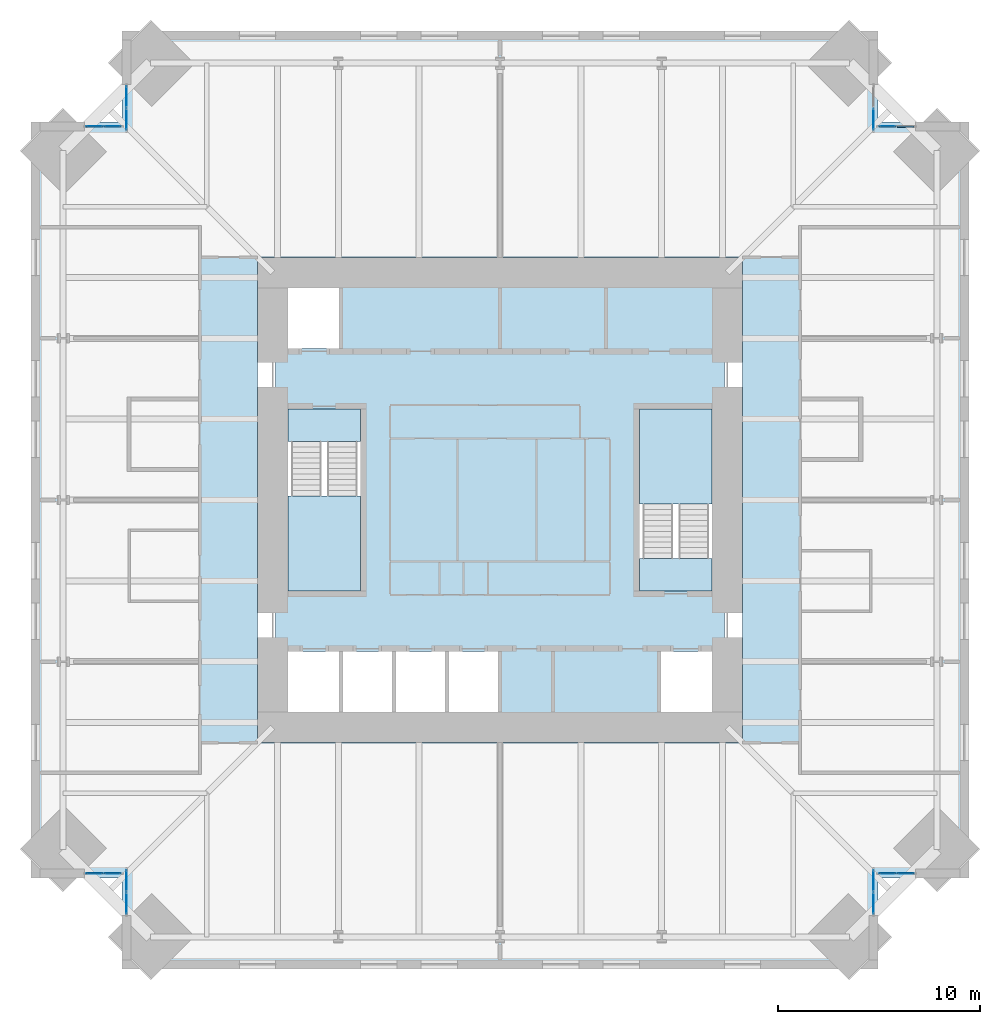
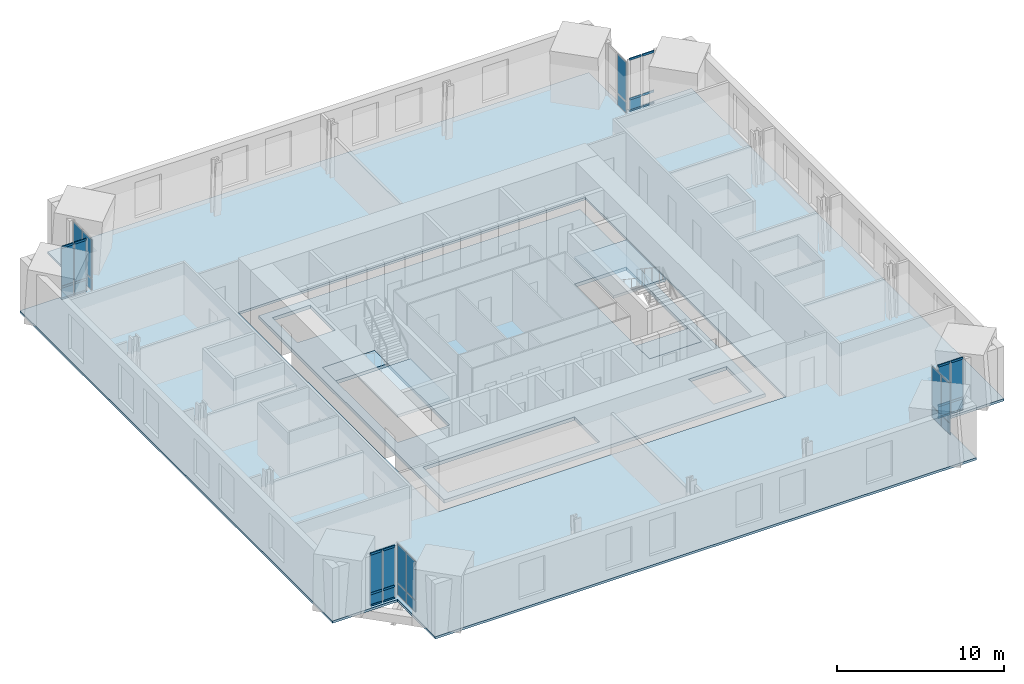
# One storey, part 9 of 15: 27 plates, 24 members, 6 slabs, 10 elements without a shape of their own.
"""IFC4 building model written with IfcOpenShell, lengths in metres."""

from ifc_helpers import new_model, si_unit, direction, frame, origin, origin_2d, place, context, subcontext, project, spatial, polyline, rectangle, hollow_rectangle, outline, extrude, material, layer, layer_set, material_profile, profile_set, type_object, element, aggregate, save


model = new_model("IFC4")

# Units and contexts
model_context = context("Model", 3, precision=1e-05, world=origin(), true_north=direction((0.0, 1.0)))
body_context = subcontext(model_context, "Body", "Model", "MODEL_VIEW")
ifc_project = project(units=[si_unit("LENGTHUNIT", "METRE"), si_unit("AREAUNIT", "SQUARE_METRE"), si_unit("VOLUMEUNIT", "CUBIC_METRE"), si_unit("PLANEANGLEUNIT", "RADIAN"), si_unit("MASSUNIT", "GRAM", prefix="KILO")], contexts=[model_context])

# Site, building, storey
site_placement = place(None, origin())
site = spatial("IfcSite", under=ifc_project, at=site_placement, CompositionType="ELEMENT")
building_placement = place(site_placement, origin())
building = spatial("IfcBuilding", under=site, at=building_placement, Name="Peilmerk Tower", CompositionType="ELEMENT")
storey_placement = place(building_placement, frame((0.0, 0.0, 229.800048828125)))
storey = spatial("IfcBuildingStorey", under=building, at=storey_placement, Name="L50", CompositionType="ELEMENT", Elevation=229.800048828125)

# Curtain wall, members
ifc_material_1 = material(Name="Aluminium stick curtain wall", Category="aluminium")
curtain_wall_type = type_object("IfcCurtainWallType", Name="CW4 stick curtain wall, 2250 module", PredefinedType="NOTDEFINED", material=ifc_material_1)
curtain_wall_1_placement = place(storey_placement, origin())
curtain_wall_1 = element("IfcCurtainWall", 1, at=curtain_wall_1_placement, inside=storey, type_object=curtain_wall_type, Name="Curtain wall CW4 NEB L50", PredefinedType="NOTDEFINED")
ifc_material_2 = material(Name="Aluminium EN AW-6063 T6", Category="aluminium")
ifc_material_profile = material_profile(ifc_material_2, hollow_rectangle(XDim=0.06494140625, YDim=0.14990234375, WallThickness=0.0029296875, at=origin_2d()), Name="AL 150x65x3")
ifc_profile_set = profile_set([ifc_material_profile], Name="Aluminium EN AW-6063 T6")
member_type = type_object("IfcMemberType", Name="CW4-T AL 150x65x3 transom", PredefinedType="USERDEFINED", material=ifc_profile_set)
member_1_placement = place(storey_placement, frame((18.764892578125, 18.47509765625, 0.032470703125), z_axis=(1.0, 0.0, 0.0), x_axis=(0.0, 1.0, 0.0)))
member_1 = element("IfcMember", 2, at=member_1_placement, type_object=member_type, Name="CW4 transom 1.1", ObjectType="TRANSOM", PredefinedType="USERDEFINED", context=body_context, shape_type="SweptSolid", body=[
    extrude(hollow_rectangle(XDim=0.06494140625, YDim=0.14990234375, WallThickness=0.0029296875, at=origin_2d()), origin(), (0.0, 0.0, 1.0), 0.822021484375),
])
member_2_placement = place(storey_placement, frame((18.764892578125, 18.47509765625, 0.89990234375), z_axis=(1.0, 0.0, 0.0), x_axis=(0.0, 1.0, 0.0)))
member_2 = element("IfcMember", 3, at=member_2_placement, type_object=member_type, Name="CW4 transom 1.2", ObjectType="TRANSOM", PredefinedType="USERDEFINED", context=body_context, shape_type="SweptSolid", body=[
    extrude(hollow_rectangle(XDim=0.06494140625, YDim=0.14990234375, WallThickness=0.0029296875, at=origin_2d()), origin(), (0.0, 0.0, 1.0), 0.822021484375),
])
member_3_placement = place(storey_placement, frame((18.764892578125, 18.47509765625, 3.79736328125), z_axis=(1.0, 0.0, 0.0), x_axis=(0.0, 1.0, 0.0)))
member_3 = element("IfcMember", 4, at=member_3_placement, type_object=member_type, Name="CW4 transom 1.3", ObjectType="TRANSOM", PredefinedType="USERDEFINED", context=body_context, shape_type="SweptSolid", body=[
    extrude(hollow_rectangle(XDim=0.06494140625, YDim=0.14990234375, WallThickness=0.0029296875, at=origin_2d()), origin(), (0.0, 0.0, 1.0), 0.822021484375),
])
member_4_placement = place(storey_placement, frame((19.65185546875, 18.47509765625, 0.032470703125), z_axis=(1.0, 0.0, 0.0), x_axis=(0.0, 1.0, 0.0)))
member_4 = element("IfcMember", 5, at=member_4_placement, type_object=member_type, Name="CW4 transom 2.1", ObjectType="TRANSOM", PredefinedType="USERDEFINED", context=body_context, shape_type="SweptSolid", body=[
    extrude(hollow_rectangle(XDim=0.06494140625, YDim=0.14990234375, WallThickness=0.0029296875, at=origin_2d()), origin(), (0.0, 0.0, 1.0), 0.82177734375),
])
member_5_placement = place(storey_placement, frame((19.65185546875, 18.47509765625, 0.89990234375), z_axis=(1.0, 0.0, 0.0), x_axis=(0.0, 1.0, 0.0)))
member_5 = element("IfcMember", 6, at=member_5_placement, type_object=member_type, Name="CW4 transom 2.2", ObjectType="TRANSOM", PredefinedType="USERDEFINED", context=body_context, shape_type="SweptSolid", body=[
    extrude(hollow_rectangle(XDim=0.06494140625, YDim=0.14990234375, WallThickness=0.0029296875, at=origin_2d()), origin(), (0.0, 0.0, 1.0), 0.82177734375),
])
member_6_placement = place(storey_placement, frame((19.65185546875, 18.47509765625, 3.79736328125), z_axis=(1.0, 0.0, 0.0), x_axis=(0.0, 1.0, 0.0)))
member_6 = element("IfcMember", 7, at=member_6_placement, type_object=member_type, Name="CW4 transom 2.3", ObjectType="TRANSOM", PredefinedType="USERDEFINED", context=body_context, shape_type="SweptSolid", body=[
    extrude(hollow_rectangle(XDim=0.06494140625, YDim=0.14990234375, WallThickness=0.0029296875, at=origin_2d()), origin(), (0.0, 0.0, 1.0), 0.82177734375),
])

curtain_wall_2_placement = place(storey_placement, origin())
curtain_wall_2 = element("IfcCurtainWall", 8, at=curtain_wall_2_placement, inside=storey, type_object=curtain_wall_type, Name="Curtain wall CW4 SEB L50", PredefinedType="NOTDEFINED")
member_7_placement = place(storey_placement, frame((18.764892578125, -18.47509765625, 0.032470703125), z_axis=(1.0, 0.0, 0.0), x_axis=(0.0, 1.0, 0.0)))
member_7 = element("IfcMember", 9, at=member_7_placement, type_object=member_type, Name="CW4 transom 1.1", ObjectType="TRANSOM", PredefinedType="USERDEFINED", context=body_context, shape_type="SweptSolid", body=[
    extrude(hollow_rectangle(XDim=0.06494140625, YDim=0.14990234375, WallThickness=0.0029296875, at=origin_2d()), origin(), (0.0, 0.0, 1.0), 0.822021484375),
])
member_8_placement = place(storey_placement, frame((18.764892578125, -18.47509765625, 0.89990234375), z_axis=(1.0, 0.0, 0.0), x_axis=(0.0, 1.0, 0.0)))
member_8 = element("IfcMember", 10, at=member_8_placement, type_object=member_type, Name="CW4 transom 1.2", ObjectType="TRANSOM", PredefinedType="USERDEFINED", context=body_context, shape_type="SweptSolid", body=[
    extrude(hollow_rectangle(XDim=0.06494140625, YDim=0.14990234375, WallThickness=0.0029296875, at=origin_2d()), origin(), (0.0, 0.0, 1.0), 0.822021484375),
])
member_9_placement = place(storey_placement, frame((18.764892578125, -18.47509765625, 3.79736328125), z_axis=(1.0, 0.0, 0.0), x_axis=(0.0, 1.0, 0.0)))
member_9 = element("IfcMember", 11, at=member_9_placement, type_object=member_type, Name="CW4 transom 1.3", ObjectType="TRANSOM", PredefinedType="USERDEFINED", context=body_context, shape_type="SweptSolid", body=[
    extrude(hollow_rectangle(XDim=0.06494140625, YDim=0.14990234375, WallThickness=0.0029296875, at=origin_2d()), origin(), (0.0, 0.0, 1.0), 0.822021484375),
])
member_10_placement = place(storey_placement, frame((19.65185546875, -18.47509765625, 0.032470703125), z_axis=(1.0, 0.0, 0.0), x_axis=(0.0, 1.0, 0.0)))
member_10 = element("IfcMember", 12, at=member_10_placement, type_object=member_type, Name="CW4 transom 2.1", ObjectType="TRANSOM", PredefinedType="USERDEFINED", context=body_context, shape_type="SweptSolid", body=[
    extrude(hollow_rectangle(XDim=0.06494140625, YDim=0.14990234375, WallThickness=0.0029296875, at=origin_2d()), origin(), (0.0, 0.0, 1.0), 0.82177734375),
])
member_11_placement = place(storey_placement, frame((19.65185546875, -18.47509765625, 0.89990234375), z_axis=(1.0, 0.0, 0.0), x_axis=(0.0, 1.0, 0.0)))
member_11 = element("IfcMember", 13, at=member_11_placement, type_object=member_type, Name="CW4 transom 2.2", ObjectType="TRANSOM", PredefinedType="USERDEFINED", context=body_context, shape_type="SweptSolid", body=[
    extrude(hollow_rectangle(XDim=0.06494140625, YDim=0.14990234375, WallThickness=0.0029296875, at=origin_2d()), origin(), (0.0, 0.0, 1.0), 0.82177734375),
])
member_12_placement = place(storey_placement, frame((19.65185546875, -18.47509765625, 3.79736328125), z_axis=(1.0, 0.0, 0.0), x_axis=(0.0, 1.0, 0.0)))
member_12 = element("IfcMember", 14, at=member_12_placement, type_object=member_type, Name="CW4 transom 2.3", ObjectType="TRANSOM", PredefinedType="USERDEFINED", context=body_context, shape_type="SweptSolid", body=[
    extrude(hollow_rectangle(XDim=0.06494140625, YDim=0.14990234375, WallThickness=0.0029296875, at=origin_2d()), origin(), (0.0, 0.0, 1.0), 0.82177734375),
])

curtain_wall_3_placement = place(storey_placement, origin())
curtain_wall_3 = element("IfcCurtainWall", 15, at=curtain_wall_3_placement, inside=storey, type_object=curtain_wall_type, Name="Curtain wall CW4 SWB L50", PredefinedType="NOTDEFINED")
member_13_placement = place(storey_placement, frame((-18.764892578125, -18.47509765625, 0.032470703125), z_axis=(-1.0, 0.0, 0.0), x_axis=(0.0, -1.0, 0.0)))
member_13 = element("IfcMember", 16, at=member_13_placement, type_object=member_type, Name="CW4 transom 1.1", ObjectType="TRANSOM", PredefinedType="USERDEFINED", context=body_context, shape_type="SweptSolid", body=[
    extrude(hollow_rectangle(XDim=0.06494140625, YDim=0.14990234375, WallThickness=0.0029296875, at=origin_2d()), origin(), (0.0, 0.0, 1.0), 0.822021484375),
])
member_14_placement = place(storey_placement, frame((-18.764892578125, -18.47509765625, 0.89990234375), z_axis=(-1.0, 0.0, 0.0), x_axis=(0.0, -1.0, 0.0)))
member_14 = element("IfcMember", 17, at=member_14_placement, type_object=member_type, Name="CW4 transom 1.2", ObjectType="TRANSOM", PredefinedType="USERDEFINED", context=body_context, shape_type="SweptSolid", body=[
    extrude(hollow_rectangle(XDim=0.06494140625, YDim=0.14990234375, WallThickness=0.0029296875, at=origin_2d()), origin(), (0.0, 0.0, 1.0), 0.822021484375),
])
member_15_placement = place(storey_placement, frame((-18.764892578125, -18.47509765625, 3.79736328125), z_axis=(-1.0, 0.0, 0.0), x_axis=(0.0, -1.0, 0.0)))
member_15 = element("IfcMember", 18, at=member_15_placement, type_object=member_type, Name="CW4 transom 1.3", ObjectType="TRANSOM", PredefinedType="USERDEFINED", context=body_context, shape_type="SweptSolid", body=[
    extrude(hollow_rectangle(XDim=0.06494140625, YDim=0.14990234375, WallThickness=0.0029296875, at=origin_2d()), origin(), (0.0, 0.0, 1.0), 0.822021484375),
])
member_16_placement = place(storey_placement, frame((-19.65185546875, -18.47509765625, 0.032470703125), z_axis=(-1.0, 0.0, 0.0), x_axis=(0.0, -1.0, 0.0)))
member_16 = element("IfcMember", 19, at=member_16_placement, type_object=member_type, Name="CW4 transom 2.1", ObjectType="TRANSOM", PredefinedType="USERDEFINED", context=body_context, shape_type="SweptSolid", body=[
    extrude(hollow_rectangle(XDim=0.06494140625, YDim=0.14990234375, WallThickness=0.0029296875, at=origin_2d()), origin(), (0.0, 0.0, 1.0), 0.82177734375),
])
member_17_placement = place(storey_placement, frame((-19.65185546875, -18.47509765625, 0.89990234375), z_axis=(-1.0, 0.0, 0.0), x_axis=(0.0, -1.0, 0.0)))
member_17 = element("IfcMember", 20, at=member_17_placement, type_object=member_type, Name="CW4 transom 2.2", ObjectType="TRANSOM", PredefinedType="USERDEFINED", context=body_context, shape_type="SweptSolid", body=[
    extrude(hollow_rectangle(XDim=0.06494140625, YDim=0.14990234375, WallThickness=0.0029296875, at=origin_2d()), origin(), (0.0, 0.0, 1.0), 0.82177734375),
])
member_18_placement = place(storey_placement, frame((-19.65185546875, -18.47509765625, 3.79736328125), z_axis=(-1.0, 0.0, 0.0), x_axis=(0.0, -1.0, 0.0)))
member_18 = element("IfcMember", 21, at=member_18_placement, type_object=member_type, Name="CW4 transom 2.3", ObjectType="TRANSOM", PredefinedType="USERDEFINED", context=body_context, shape_type="SweptSolid", body=[
    extrude(hollow_rectangle(XDim=0.06494140625, YDim=0.14990234375, WallThickness=0.0029296875, at=origin_2d()), origin(), (0.0, 0.0, 1.0), 0.82177734375),
])

curtain_wall_4_placement = place(storey_placement, origin())
curtain_wall_4 = element("IfcCurtainWall", 22, at=curtain_wall_4_placement, inside=storey, type_object=curtain_wall_type, Name="Curtain wall CW4 NWB L50", PredefinedType="NOTDEFINED")
member_19_placement = place(storey_placement, frame((-18.764892578125, 18.47509765625, 0.032470703125), z_axis=(-1.0, 0.0, 0.0), x_axis=(0.0, -1.0, 0.0)))
member_19 = element("IfcMember", 23, at=member_19_placement, type_object=member_type, Name="CW4 transom 1.1", ObjectType="TRANSOM", PredefinedType="USERDEFINED", context=body_context, shape_type="SweptSolid", body=[
    extrude(hollow_rectangle(XDim=0.06494140625, YDim=0.14990234375, WallThickness=0.0029296875, at=origin_2d()), origin(), (0.0, 0.0, 1.0), 0.822021484375),
])
member_20_placement = place(storey_placement, frame((-18.764892578125, 18.47509765625, 0.89990234375), z_axis=(-1.0, 0.0, 0.0), x_axis=(0.0, -1.0, 0.0)))
member_20 = element("IfcMember", 24, at=member_20_placement, type_object=member_type, Name="CW4 transom 1.2", ObjectType="TRANSOM", PredefinedType="USERDEFINED", context=body_context, shape_type="SweptSolid", body=[
    extrude(hollow_rectangle(XDim=0.06494140625, YDim=0.14990234375, WallThickness=0.0029296875, at=origin_2d()), origin(), (0.0, 0.0, 1.0), 0.822021484375),
])
member_21_placement = place(storey_placement, frame((-18.764892578125, 18.47509765625, 3.79736328125), z_axis=(-1.0, 0.0, 0.0), x_axis=(0.0, -1.0, 0.0)))
member_21 = element("IfcMember", 25, at=member_21_placement, type_object=member_type, Name="CW4 transom 1.3", ObjectType="TRANSOM", PredefinedType="USERDEFINED", context=body_context, shape_type="SweptSolid", body=[
    extrude(hollow_rectangle(XDim=0.06494140625, YDim=0.14990234375, WallThickness=0.0029296875, at=origin_2d()), origin(), (0.0, 0.0, 1.0), 0.822021484375),
])
member_22_placement = place(storey_placement, frame((-19.65185546875, 18.47509765625, 0.032470703125), z_axis=(-1.0, 0.0, 0.0), x_axis=(0.0, -1.0, 0.0)))
member_22 = element("IfcMember", 26, at=member_22_placement, type_object=member_type, Name="CW4 transom 2.1", ObjectType="TRANSOM", PredefinedType="USERDEFINED", context=body_context, shape_type="SweptSolid", body=[
    extrude(hollow_rectangle(XDim=0.06494140625, YDim=0.14990234375, WallThickness=0.0029296875, at=origin_2d()), origin(), (0.0, 0.0, 1.0), 0.82177734375),
])
member_23_placement = place(storey_placement, frame((-19.65185546875, 18.47509765625, 0.89990234375), z_axis=(-1.0, 0.0, 0.0), x_axis=(0.0, -1.0, 0.0)))
member_23 = element("IfcMember", 27, at=member_23_placement, type_object=member_type, Name="CW4 transom 2.2", ObjectType="TRANSOM", PredefinedType="USERDEFINED", context=body_context, shape_type="SweptSolid", body=[
    extrude(hollow_rectangle(XDim=0.06494140625, YDim=0.14990234375, WallThickness=0.0029296875, at=origin_2d()), origin(), (0.0, 0.0, 1.0), 0.82177734375),
])
member_24_placement = place(storey_placement, frame((-19.65185546875, 18.47509765625, 3.79736328125), z_axis=(-1.0, 0.0, 0.0), x_axis=(0.0, -1.0, 0.0)))
member_24 = element("IfcMember", 28, at=member_24_placement, type_object=member_type, Name="CW4 transom 2.3", ObjectType="TRANSOM", PredefinedType="USERDEFINED", context=body_context, shape_type="SweptSolid", body=[
    extrude(hollow_rectangle(XDim=0.06494140625, YDim=0.14990234375, WallThickness=0.0029296875, at=origin_2d()), origin(), (0.0, 0.0, 1.0), 0.82177734375),
])

# Slab
ifc_material_3 = material(Name="Concrete C55/67", Category="concrete")
ifc_layer_1 = layer(ifc_material_3, 0.25)
ifc_layer_set_1 = layer_set([ifc_layer_1], Name="Concrete C55/67")
slab_type_1 = type_object("IfcSlabType", Name="CS250 250 core floor slab", PredefinedType="FLOOR", material=ifc_layer_set_1)
slab_1_placement = place(storey_placement, frame((0.0, 0.0, -0.25)))
element("IfcSlab", 29, at=slab_1_placement, inside=storey, type_object=slab_type_1, Name="Core slab L50", PredefinedType="FLOOR", context=body_context, shape_type="SweptSolid", body=[
    extrude(outline(polyline([(11.10009765625, -11.10009765625), (11.10009765625, 11.10009765625), (-11.10009765625, 11.10009765625), (-11.10009765625, -11.10009765625), (11.10009765625, -11.10009765625)]), holes=[polyline([(-7.875, 7.5), (-10.5, 7.5), (-10.5, 10.5), (-7.875, 10.5), (-7.875, 7.5)]), polyline([(0.0, -10.5), (-10.5, -10.5), (-10.5, -7.5), (0.0, -7.5), (0.0, -10.5)]), polyline([(7.875, -10.5), (7.875, -7.5), (10.5, -7.5), (10.5, -10.5), (7.875, -10.5)]), polyline([(-10.5, 4.5), (-6.89990234375, 4.5), (-6.89990234375, -4.5), (-10.5, -4.5), (-10.5, 4.5)]), polyline([(10.5, 4.5), (10.5, -4.5), (6.89990234375, -4.5), (6.89990234375, 4.5), (10.5, 4.5)])]), origin(), (0.0, 0.0, 1.0), 0.25),
])

# Curtain wall, plates
curtain_wall_5_placement = place(storey_placement, origin())
curtain_wall_5 = element("IfcCurtainWall", 30, at=curtain_wall_5_placement, inside=storey, type_object=curtain_wall_type, Name="Curtain wall CW4 NEA L50", PredefinedType="NOTDEFINED")
ifc_material_4 = material(Name="Clear insulated glazing unit", Category="glass")
ifc_layer_2 = layer(ifc_material_4, 0.028076171875)
ifc_layer_set_2 = layer_set([ifc_layer_2], Name="Clear insulated glazing unit")
plate_type = type_object("IfcPlateType", Name="CW4-P 28 glazed panel", PredefinedType="CURTAIN_PANEL", material=ifc_layer_set_2)
plate_1_placement = place(storey_placement, frame((18.47509765625, 18.83837890625, 0.06494140625), z_axis=(0.0, 0.0, 1.0), x_axis=(0.0, 1.0, 0.0)))
plate_1 = element("IfcPlate", 31, at=plate_1_placement, type_object=plate_type, Name="CW4 panel 1.1", PredefinedType="CURTAIN_PANEL", context=body_context, shape_type="SweptSolid", body=[
    extrude(rectangle(XDim=1.046875, YDim=0.028076171875, at=origin_2d()), origin(), (0.0, 0.0, 1.0), 0.802490234375),
])
plate_2_placement = place(storey_placement, frame((18.47509765625, 18.83837890625, 0.932373046875), z_axis=(0.0, 0.0, 1.0), x_axis=(0.0, 1.0, 0.0)))
plate_2 = element("IfcPlate", 32, at=plate_2_placement, type_object=plate_type, Name="CW4 panel 1.2", PredefinedType="CURTAIN_PANEL", context=body_context, shape_type="SweptSolid", body=[
    extrude(rectangle(XDim=1.046875, YDim=0.028076171875, at=origin_2d()), origin(), (0.0, 0.0, 1.0), 2.83251953125),
])
aggregate(curtain_wall_5, [plate_1, plate_2])

# Plate
plate_3_placement = place(storey_placement, frame((19.176025390625, 18.47509765625, 0.06494140625), z_axis=(0.0, 0.0, 1.0), x_axis=(1.0, 0.0, 0.0)))
plate_3 = element("IfcPlate", 33, at=plate_3_placement, type_object=plate_type, Name="CW4 panel 1.1", PredefinedType="CURTAIN_PANEL", context=body_context, shape_type="SweptSolid", body=[
    extrude(rectangle(XDim=0.82177734375, YDim=0.028076171875, at=origin_2d()), origin(), (0.0, 0.0, 1.0), 0.802490234375),
])

aggregate(curtain_wall_1, [member_1, member_2, member_3, plate_3, member_4, member_5, member_6])

# Curtain wall, plates
curtain_wall_6_placement = place(storey_placement, origin())
curtain_wall_6 = element("IfcCurtainWall", 34, at=curtain_wall_6_placement, inside=storey, type_object=curtain_wall_type, Name="Curtain wall CW4 SEA L50", PredefinedType="NOTDEFINED")
plate_4_placement = place(storey_placement, frame((18.47509765625, -18.83837890625, 0.06494140625), z_axis=(0.0, 0.0, 1.0), x_axis=(0.0, -1.0, 0.0)))
plate_4 = element("IfcPlate", 35, at=plate_4_placement, type_object=plate_type, Name="CW4 panel 1.1", PredefinedType="CURTAIN_PANEL", context=body_context, shape_type="SweptSolid", body=[
    extrude(rectangle(XDim=1.046875, YDim=0.028076171875, at=origin_2d()), origin(), (0.0, 0.0, 1.0), 0.802490234375),
])
plate_5_placement = place(storey_placement, frame((18.47509765625, -18.83837890625, 0.932373046875), z_axis=(0.0, 0.0, 1.0), x_axis=(0.0, -1.0, 0.0)))
plate_5 = element("IfcPlate", 36, at=plate_5_placement, type_object=plate_type, Name="CW4 panel 1.2", PredefinedType="CURTAIN_PANEL", context=body_context, shape_type="SweptSolid", body=[
    extrude(rectangle(XDim=1.046875, YDim=0.028076171875, at=origin_2d()), origin(), (0.0, 0.0, 1.0), 2.83251953125),
])
plate_6_placement = place(storey_placement, frame((18.47509765625, -19.9501953125, 0.06494140625), z_axis=(0.0, 0.0, 1.0), x_axis=(0.0, -1.0, 0.0)))
plate_6 = element("IfcPlate", 37, at=plate_6_placement, type_object=plate_type, Name="CW4 panel 2.1", PredefinedType="CURTAIN_PANEL", context=body_context, shape_type="SweptSolid", body=[
    extrude(rectangle(XDim=1.046875, YDim=0.028076171875, at=origin_2d()), origin(), (0.0, 0.0, 1.0), 0.802490234375),
])
plate_7_placement = place(storey_placement, frame((18.47509765625, -19.9501953125, 0.932373046875), z_axis=(0.0, 0.0, 1.0), x_axis=(0.0, -1.0, 0.0)))
plate_7 = element("IfcPlate", 38, at=plate_7_placement, type_object=plate_type, Name="CW4 panel 2.2", PredefinedType="CURTAIN_PANEL", context=body_context, shape_type="SweptSolid", body=[
    extrude(rectangle(XDim=1.046875, YDim=0.028076171875, at=origin_2d()), origin(), (0.0, 0.0, 1.0), 2.83251953125),
])
aggregate(curtain_wall_6, [plate_4, plate_5, plate_6, plate_7])

# Plate
plate_8_placement = place(storey_placement, frame((19.176025390625, -18.47509765625, 0.06494140625), z_axis=(0.0, 0.0, 1.0), x_axis=(1.0, 0.0, 0.0)))
plate_8 = element("IfcPlate", 39, at=plate_8_placement, type_object=plate_type, Name="CW4 panel 1.1", PredefinedType="CURTAIN_PANEL", context=body_context, shape_type="SweptSolid", body=[
    extrude(rectangle(XDim=0.82177734375, YDim=0.028076171875, at=origin_2d()), origin(), (0.0, 0.0, 1.0), 0.802490234375),
])

plate_9_placement = place(storey_placement, frame((19.176025390625, -18.47509765625, 0.932373046875), z_axis=(0.0, 0.0, 1.0), x_axis=(1.0, 0.0, 0.0)))
plate_9 = element("IfcPlate", 40, at=plate_9_placement, type_object=plate_type, Name="CW4 panel 1.2", PredefinedType="CURTAIN_PANEL", context=body_context, shape_type="SweptSolid", body=[
    extrude(rectangle(XDim=0.82177734375, YDim=0.028076171875, at=origin_2d()), origin(), (0.0, 0.0, 1.0), 2.83251953125),
])

plate_10_placement = place(storey_placement, frame((20.062744140625, -18.47509765625, 0.06494140625), z_axis=(0.0, 0.0, 1.0), x_axis=(1.0, 0.0, 0.0)))
plate_10 = element("IfcPlate", 41, at=plate_10_placement, type_object=plate_type, Name="CW4 panel 2.1", PredefinedType="CURTAIN_PANEL", context=body_context, shape_type="SweptSolid", body=[
    extrude(rectangle(XDim=0.82177734375, YDim=0.028076171875, at=origin_2d()), origin(), (0.0, 0.0, 1.0), 0.802490234375),
])

plate_11_placement = place(storey_placement, frame((20.062744140625, -18.47509765625, 0.932373046875), z_axis=(0.0, 0.0, 1.0), x_axis=(1.0, 0.0, 0.0)))
plate_11 = element("IfcPlate", 42, at=plate_11_placement, type_object=plate_type, Name="CW4 panel 2.2", PredefinedType="CURTAIN_PANEL", context=body_context, shape_type="SweptSolid", body=[
    extrude(rectangle(XDim=0.82177734375, YDim=0.028076171875, at=origin_2d()), origin(), (0.0, 0.0, 1.0), 2.83251953125),
])

aggregate(curtain_wall_2, [member_7, member_8, member_9, plate_8, plate_9, member_10, member_11, member_12, plate_10, plate_11])

# Curtain wall, plates
curtain_wall_7_placement = place(storey_placement, origin())
curtain_wall_7 = element("IfcCurtainWall", 43, at=curtain_wall_7_placement, inside=storey, type_object=curtain_wall_type, Name="Curtain wall CW4 SWA L50", PredefinedType="NOTDEFINED")
plate_12_placement = place(storey_placement, frame((-18.47509765625, -18.83837890625, 0.06494140625), z_axis=(0.0, 0.0, 1.0), x_axis=(0.0, -1.0, 0.0)))
plate_12 = element("IfcPlate", 44, at=plate_12_placement, type_object=plate_type, Name="CW4 panel 1.1", PredefinedType="CURTAIN_PANEL", context=body_context, shape_type="SweptSolid", body=[
    extrude(rectangle(XDim=1.046875, YDim=0.028076171875, at=origin_2d()), origin(), (0.0, 0.0, 1.0), 0.802490234375),
])
plate_13_placement = place(storey_placement, frame((-18.47509765625, -18.83837890625, 0.932373046875), z_axis=(0.0, 0.0, 1.0), x_axis=(0.0, -1.0, 0.0)))
plate_13 = element("IfcPlate", 45, at=plate_13_placement, type_object=plate_type, Name="CW4 panel 1.2", PredefinedType="CURTAIN_PANEL", context=body_context, shape_type="SweptSolid", body=[
    extrude(rectangle(XDim=1.046875, YDim=0.028076171875, at=origin_2d()), origin(), (0.0, 0.0, 1.0), 2.83251953125),
])
plate_14_placement = place(storey_placement, frame((-18.47509765625, -19.9501953125, 0.06494140625), z_axis=(0.0, 0.0, 1.0), x_axis=(0.0, -1.0, 0.0)))
plate_14 = element("IfcPlate", 46, at=plate_14_placement, type_object=plate_type, Name="CW4 panel 2.1", PredefinedType="CURTAIN_PANEL", context=body_context, shape_type="SweptSolid", body=[
    extrude(rectangle(XDim=1.046875, YDim=0.028076171875, at=origin_2d()), origin(), (0.0, 0.0, 1.0), 0.802490234375),
])
plate_15_placement = place(storey_placement, frame((-18.47509765625, -19.9501953125, 0.932373046875), z_axis=(0.0, 0.0, 1.0), x_axis=(0.0, -1.0, 0.0)))
plate_15 = element("IfcPlate", 47, at=plate_15_placement, type_object=plate_type, Name="CW4 panel 2.2", PredefinedType="CURTAIN_PANEL", context=body_context, shape_type="SweptSolid", body=[
    extrude(rectangle(XDim=1.046875, YDim=0.028076171875, at=origin_2d()), origin(), (0.0, 0.0, 1.0), 2.83251953125),
])
aggregate(curtain_wall_7, [plate_12, plate_13, plate_14, plate_15])

# Plate
plate_16_placement = place(storey_placement, frame((-19.176025390625, -18.47509765625, 0.06494140625), z_axis=(0.0, 0.0, 1.0), x_axis=(-1.0, 0.0, 0.0)))
plate_16 = element("IfcPlate", 48, at=plate_16_placement, type_object=plate_type, Name="CW4 panel 1.1", PredefinedType="CURTAIN_PANEL", context=body_context, shape_type="SweptSolid", body=[
    extrude(rectangle(XDim=0.82177734375, YDim=0.028076171875, at=origin_2d()), origin(), (0.0, 0.0, 1.0), 0.802490234375),
])

plate_17_placement = place(storey_placement, frame((-19.176025390625, -18.47509765625, 0.932373046875), z_axis=(0.0, 0.0, 1.0), x_axis=(-1.0, 0.0, 0.0)))
plate_17 = element("IfcPlate", 49, at=plate_17_placement, type_object=plate_type, Name="CW4 panel 1.2", PredefinedType="CURTAIN_PANEL", context=body_context, shape_type="SweptSolid", body=[
    extrude(rectangle(XDim=0.82177734375, YDim=0.028076171875, at=origin_2d()), origin(), (0.0, 0.0, 1.0), 2.83251953125),
])

plate_18_placement = place(storey_placement, frame((-20.062744140625, -18.47509765625, 0.06494140625), z_axis=(0.0, 0.0, 1.0), x_axis=(-1.0, 0.0, 0.0)))
plate_18 = element("IfcPlate", 50, at=plate_18_placement, type_object=plate_type, Name="CW4 panel 2.1", PredefinedType="CURTAIN_PANEL", context=body_context, shape_type="SweptSolid", body=[
    extrude(rectangle(XDim=0.82177734375, YDim=0.028076171875, at=origin_2d()), origin(), (0.0, 0.0, 1.0), 0.802490234375),
])

plate_19_placement = place(storey_placement, frame((-20.062744140625, -18.47509765625, 0.932373046875), z_axis=(0.0, 0.0, 1.0), x_axis=(-1.0, 0.0, 0.0)))
plate_19 = element("IfcPlate", 51, at=plate_19_placement, type_object=plate_type, Name="CW4 panel 2.2", PredefinedType="CURTAIN_PANEL", context=body_context, shape_type="SweptSolid", body=[
    extrude(rectangle(XDim=0.82177734375, YDim=0.028076171875, at=origin_2d()), origin(), (0.0, 0.0, 1.0), 2.83251953125),
])

aggregate(curtain_wall_3, [member_13, member_14, member_15, plate_16, plate_17, member_16, member_17, member_18, plate_18, plate_19])

# Curtain wall, plates
curtain_wall_8_placement = place(storey_placement, origin())
curtain_wall_8 = element("IfcCurtainWall", 52, at=curtain_wall_8_placement, inside=storey, type_object=curtain_wall_type, Name="Curtain wall CW4 NWA L50", PredefinedType="NOTDEFINED")
plate_20_placement = place(storey_placement, frame((-18.47509765625, 18.83837890625, 0.06494140625), z_axis=(0.0, 0.0, 1.0), x_axis=(0.0, 1.0, 0.0)))
plate_20 = element("IfcPlate", 53, at=plate_20_placement, type_object=plate_type, Name="CW4 panel 1.1", PredefinedType="CURTAIN_PANEL", context=body_context, shape_type="SweptSolid", body=[
    extrude(rectangle(XDim=1.046875, YDim=0.028076171875, at=origin_2d()), origin(), (0.0, 0.0, 1.0), 0.802490234375),
])
plate_21_placement = place(storey_placement, frame((-18.47509765625, 18.83837890625, 0.932373046875), z_axis=(0.0, 0.0, 1.0), x_axis=(0.0, 1.0, 0.0)))
plate_21 = element("IfcPlate", 54, at=plate_21_placement, type_object=plate_type, Name="CW4 panel 1.2", PredefinedType="CURTAIN_PANEL", context=body_context, shape_type="SweptSolid", body=[
    extrude(rectangle(XDim=1.046875, YDim=0.028076171875, at=origin_2d()), origin(), (0.0, 0.0, 1.0), 2.83251953125),
])
plate_22_placement = place(storey_placement, frame((-18.47509765625, 19.9501953125, 0.06494140625), z_axis=(0.0, 0.0, 1.0), x_axis=(0.0, 1.0, 0.0)))
plate_22 = element("IfcPlate", 55, at=plate_22_placement, type_object=plate_type, Name="CW4 panel 2.1", PredefinedType="CURTAIN_PANEL", context=body_context, shape_type="SweptSolid", body=[
    extrude(rectangle(XDim=1.046875, YDim=0.028076171875, at=origin_2d()), origin(), (0.0, 0.0, 1.0), 0.802490234375),
])
plate_23_placement = place(storey_placement, frame((-18.47509765625, 19.9501953125, 0.932373046875), z_axis=(0.0, 0.0, 1.0), x_axis=(0.0, 1.0, 0.0)))
plate_23 = element("IfcPlate", 56, at=plate_23_placement, type_object=plate_type, Name="CW4 panel 2.2", PredefinedType="CURTAIN_PANEL", context=body_context, shape_type="SweptSolid", body=[
    extrude(rectangle(XDim=1.046875, YDim=0.028076171875, at=origin_2d()), origin(), (0.0, 0.0, 1.0), 2.83251953125),
])
aggregate(curtain_wall_8, [plate_20, plate_21, plate_22, plate_23])

# Plate
plate_24_placement = place(storey_placement, frame((-19.176025390625, 18.47509765625, 0.06494140625), z_axis=(0.0, 0.0, 1.0), x_axis=(-1.0, 0.0, 0.0)))
plate_24 = element("IfcPlate", 57, at=plate_24_placement, type_object=plate_type, Name="CW4 panel 1.1", PredefinedType="CURTAIN_PANEL", context=body_context, shape_type="SweptSolid", body=[
    extrude(rectangle(XDim=0.82177734375, YDim=0.028076171875, at=origin_2d()), origin(), (0.0, 0.0, 1.0), 0.802490234375),
])

plate_25_placement = place(storey_placement, frame((-19.176025390625, 18.47509765625, 0.932373046875), z_axis=(0.0, 0.0, 1.0), x_axis=(-1.0, 0.0, 0.0)))
plate_25 = element("IfcPlate", 58, at=plate_25_placement, type_object=plate_type, Name="CW4 panel 1.2", PredefinedType="CURTAIN_PANEL", context=body_context, shape_type="SweptSolid", body=[
    extrude(rectangle(XDim=0.82177734375, YDim=0.028076171875, at=origin_2d()), origin(), (0.0, 0.0, 1.0), 2.83251953125),
])

plate_26_placement = place(storey_placement, frame((-20.062744140625, 18.47509765625, 0.06494140625), z_axis=(0.0, 0.0, 1.0), x_axis=(-1.0, 0.0, 0.0)))
plate_26 = element("IfcPlate", 59, at=plate_26_placement, type_object=plate_type, Name="CW4 panel 2.1", PredefinedType="CURTAIN_PANEL", context=body_context, shape_type="SweptSolid", body=[
    extrude(rectangle(XDim=0.82177734375, YDim=0.028076171875, at=origin_2d()), origin(), (0.0, 0.0, 1.0), 0.802490234375),
])

plate_27_placement = place(storey_placement, frame((-20.062744140625, 18.47509765625, 0.932373046875), z_axis=(0.0, 0.0, 1.0), x_axis=(-1.0, 0.0, 0.0)))
plate_27 = element("IfcPlate", 60, at=plate_27_placement, type_object=plate_type, Name="CW4 panel 2.2", PredefinedType="CURTAIN_PANEL", context=body_context, shape_type="SweptSolid", body=[
    extrude(rectangle(XDim=0.82177734375, YDim=0.028076171875, at=origin_2d()), origin(), (0.0, 0.0, 1.0), 2.83251953125),
])

aggregate(curtain_wall_4, [member_19, member_20, member_21, plate_24, plate_25, member_22, member_23, member_24, plate_26, plate_27])

# Slab
ifc_material_5 = material(Name="Concrete C35/45", Category="concrete")
ifc_layer_3 = layer(ifc_material_5, 0.169921875)
ifc_layer_set_3 = layer_set([ifc_layer_3], Name="Concrete C35/45")
slab_type_2 = type_object("IfcSlabType", Name="FS170 170 composite floor slab", PredefinedType="FLOOR", material=ifc_layer_set_3)
slab_2_placement = place(storey_placement, frame((0.0, 0.0, -0.170166015625)))
element("IfcSlab", 61, at=slab_2_placement, inside=storey, type_object=slab_type_2, Name="Floor slab L50", PredefinedType="FLOOR", context=body_context, shape_type="SweptSolid", body=[
    extrude(outline(polyline([(-18.699951171875, -23.199951171875), (18.699951171875, -23.199951171875), (18.699951171875, -18.699951171875), (23.199951171875, -18.699951171875), (23.199951171875, 18.699951171875), (18.699951171875, 18.699951171875), (18.699951171875, 23.199951171875), (-18.699951171875, 23.199951171875), (-18.699951171875, 18.699951171875), (-23.199951171875, 18.699951171875), (-23.199951171875, -18.699951171875), (-18.699951171875, -18.699951171875), (-18.699951171875, -23.199951171875)]), holes=[polyline([(12.0, 12.0), (12.0, -12.0), (-12.0, -12.0), (-12.0, 12.0), (12.0, 12.0)])]), origin(), (0.0, 0.0, 1.0), 0.170166015625),
])

# Stair, slab
ifc_material_6 = material(Name="Precast concrete C45/55", Category="concrete")
stair_type_1 = type_object("IfcStairType", Name="ST1 22 risers of 181.8", PredefinedType="HALF_TURN_STAIR", material=ifc_material_6)
stair_1_placement = place(storey_placement, origin())
stair_1 = element("IfcStair", 62, at=stair_1_placement, inside=storey, type_object=stair_type_1, Name="Stair 1 L50 to L51", PredefinedType="HALF_TURN_STAIR")
ifc_layer_4 = layer(ifc_material_5, 0.199951171875)
ifc_layer_set_4 = layer_set([ifc_layer_4], Name="Concrete C35/45")
slab_type_3 = type_object("IfcSlabType", Name="SL1 200 concrete stair landing", PredefinedType="LANDING", material=ifc_layer_set_4)
slab_3_placement = place(storey_placement, frame((0.0, 0.0, 1.800048828125)))
slab_3 = element("IfcSlab", 63, at=slab_3_placement, type_object=slab_type_3, Name="ST1 landing 1", PredefinedType="LANDING", context=body_context, shape_type="SweptSolid", body=[
    extrude(outline(polyline([(-10.5, -4.5), (-6.89990234375, -4.5), (-6.89990234375, 0.199951171875), (-10.5, 0.199951171875), (-10.5, -4.5)])), origin(), (0.0, 0.0, 1.0), 0.199951171875),
])

stair_type_2 = type_object("IfcStairType", Name="ST2 22 risers of 181.8", PredefinedType="HALF_TURN_STAIR", material=ifc_material_6)
stair_2_placement = place(storey_placement, origin())
stair_2 = element("IfcStair", 64, at=stair_2_placement, inside=storey, type_object=stair_type_2, Name="Stair 2 L50 to L51", PredefinedType="HALF_TURN_STAIR")
slab_4_placement = place(storey_placement, frame((0.0, 0.0, 1.800048828125)))
slab_4 = element("IfcSlab", 65, at=slab_4_placement, type_object=slab_type_3, Name="ST2 landing 1", PredefinedType="LANDING", context=body_context, shape_type="SweptSolid", body=[
    extrude(outline(polyline([(6.89990234375, -0.199951171875), (10.5, -0.199951171875), (10.5, 4.5), (6.89990234375, 4.5), (6.89990234375, -0.199951171875)])), origin(), (0.0, 0.0, 1.0), 0.199951171875),
])

# Slab
ifc_layer_5 = layer(ifc_material_5, 0.25)
ifc_layer_set_5 = layer_set([ifc_layer_5], Name="Concrete C35/45")
slab_type_4 = type_object("IfcSlabType", Name="SL2 250 concrete floor landing", PredefinedType="LANDING", material=ifc_layer_set_5)
slab_5_placement = place(storey_placement, frame((0.0, 0.0, -0.25)))
slab_5 = element("IfcSlab", 66, at=slab_5_placement, type_object=slab_type_4, Name="ST1 floor landing", PredefinedType="LANDING", context=body_context, shape_type="SweptSolid", body=[
    extrude(outline(polyline([(-10.5, 2.89990234375), (-6.89990234375, 2.89990234375), (-6.89990234375, 4.5), (-10.5, 4.5), (-10.5, 2.89990234375)])), origin(), (0.0, 0.0, 1.0), 0.25),
])

aggregate(stair_1, [slab_3, slab_5])

slab_6_placement = place(storey_placement, frame((0.0, 0.0, -0.25)))
slab_6 = element("IfcSlab", 67, at=slab_6_placement, type_object=slab_type_4, Name="ST2 floor landing", PredefinedType="LANDING", context=body_context, shape_type="SweptSolid", body=[
    extrude(outline(polyline([(6.89990234375, -4.5), (10.5, -4.5), (10.5, -2.89990234375), (6.89990234375, -2.89990234375), (6.89990234375, -4.5)])), origin(), (0.0, 0.0, 1.0), 0.25),
])

aggregate(stair_2, [slab_4, slab_6])

save(model, "model.ifc")
